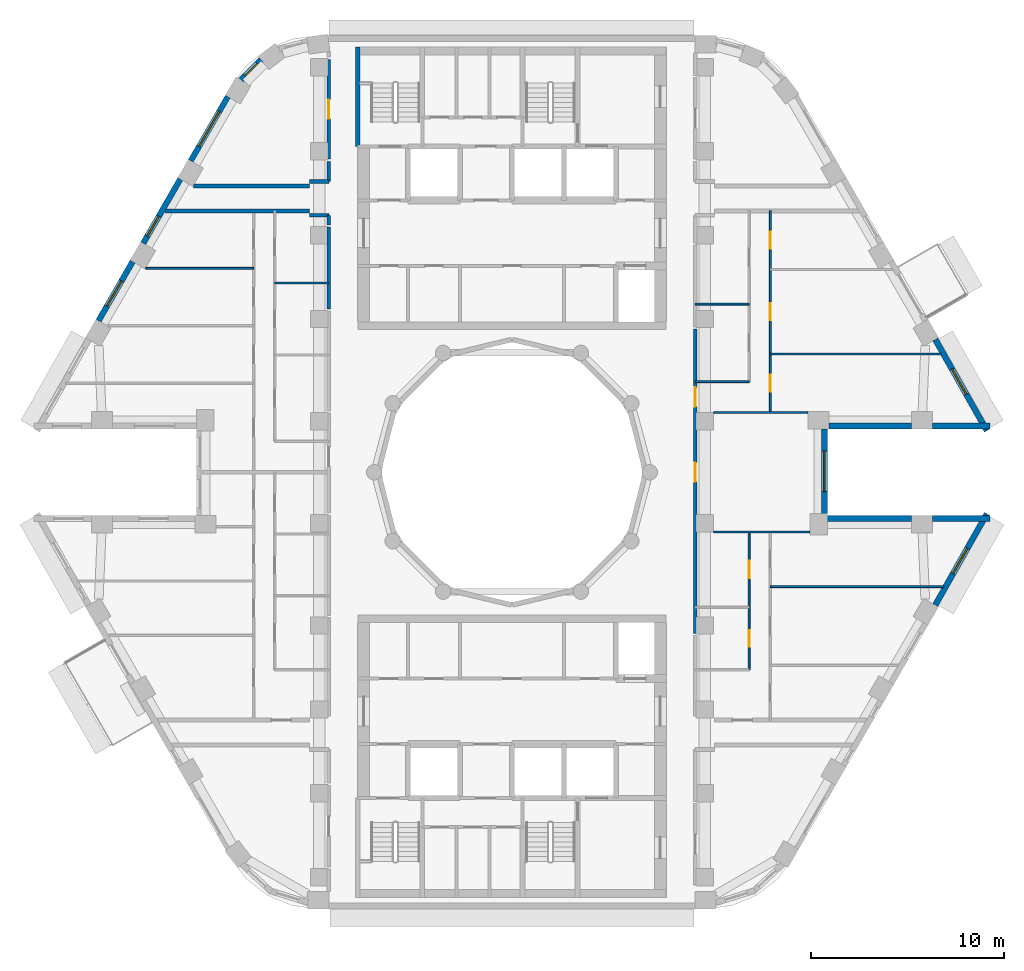
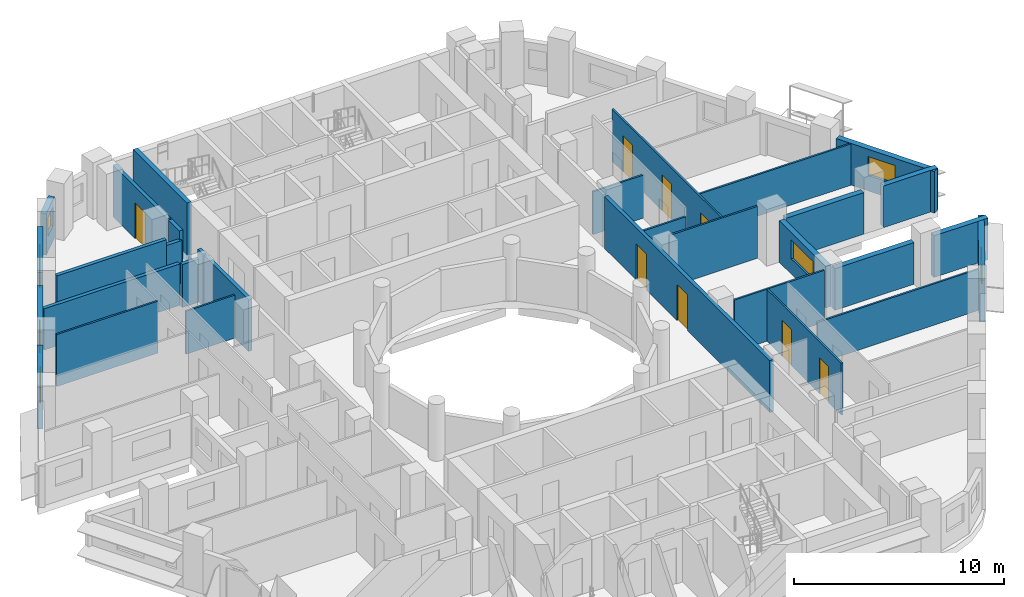
# One storey, part 6 of 16: 31 walls, 8 doors, 7 windows, 15 openings.
"""IFC4 building model written with IfcOpenShell, lengths in metres."""

from ifc_helpers import new_model, si_unit, direction, frame, frame_2d, origin, place, context, subcontext, project, spatial, rectangle, extrude, material, layer, layer_set, type_object, element, fill, save


model = new_model("IFC4")

# Units and contexts
model_context = context("Model", 3, precision=1e-05, world=origin(), true_north=direction((0.0, 1.0)))
body_context = subcontext(model_context, "Body", "Model", "MODEL_VIEW")
ifc_project = project(units=[si_unit("LENGTHUNIT", "METRE"), si_unit("AREAUNIT", "SQUARE_METRE"), si_unit("VOLUMEUNIT", "CUBIC_METRE"), si_unit("PLANEANGLEUNIT", "RADIAN"), si_unit("MASSUNIT", "GRAM", prefix="KILO")], contexts=[model_context])

# Site, building, storey
site_placement = place(None, origin())
site = spatial("IfcSite", under=ifc_project, at=site_placement, CompositionType="ELEMENT")
building_placement = place(site_placement, origin())
building = spatial("IfcBuilding", under=site, at=building_placement, Name="Nakaniwa Court", CompositionType="ELEMENT")
storey_placement = place(building_placement, frame((0.0, 0.0, 226.199951171875)))
storey = spatial("IfcBuildingStorey", under=building, at=storey_placement, Name="L58", CompositionType="ELEMENT", Elevation=226.199951171875)

# Wall, openings, doors
ifc_material_1 = material(Name="Acoustic double stud partition")
ifc_layer_1 = layer(ifc_material_1, 0.199951171875)
ifc_layer_set_1 = layer_set([ifc_layer_1], Name="Acoustic double stud partition")
wall_type_1 = type_object("IfcWallType", Name="Acoustic double stud partition 200", PredefinedType="PARTITIONING", material=ifc_layer_set_1)
wall_1_placement = place(storey_placement, frame((89.5, 87.423095703125, 0.0), z_axis=(0.0, 0.0, 1.0), x_axis=(0.0, -1.0, 0.0)))
wall_1 = element("IfcWall", 1, at=wall_1_placement, inside=storey, type_object=wall_type_1, Name="Partition PW-066", PredefinedType="PARTITIONING", context=body_context, shape_type="SweptSolid", body=[
    extrude(rectangle(XDim=15.7861328125, YDim=0.199951171875, at=frame_2d((7.89306640625, 0.0))), origin(), (0.0, 0.0, 1.0), 3.025146484375),
])
opening_1_placement = place(wall_1_placement, frame((6.923095703125, 0.0, 0.0)))
opening_1 = element("IfcOpeningElement", 2, at=opening_1_placement, cuts=wall_1, Name="Opening D-02-02", PredefinedType="OPENING", context=body_context, shape_type="SweptSolid", body=[
    extrude(rectangle(XDim=1.0, YDim=2.10009765625, at=frame_2d((0.5, 1.050048828125))), frame((0.0, 0.10986328125, 0.0), z_axis=(0.0, -1.0, 0.0), x_axis=(1.0, 0.0, 0.0)), (0.0, 0.0, 1.0), 0.219970703125),
])
opening_2_placement = place(wall_1_placement, frame((3.02294921875, 0.0, 0.0)))
opening_2 = element("IfcOpeningElement", 3, at=opening_2_placement, cuts=wall_1, Name="Opening D-01-02", PredefinedType="OPENING", context=body_context, shape_type="SweptSolid", body=[
    extrude(rectangle(XDim=1.0, YDim=2.10009765625, at=frame_2d((0.5, 1.050048828125))), frame((0.0, 0.10986328125, 0.0), z_axis=(0.0, -1.0, 0.0), x_axis=(1.0, 0.0, 0.0)), (0.0, 0.0, 1.0), 0.219970703125),
])
ifc_material_2 = material(Name="Solid core timber door set, black veneer", Category="wood")
door_type_1 = type_object("IfcDoorType", Name="Flat entrance door 1000", OperationType="NOTDEFINED", PredefinedType="DOOR", material=ifc_material_2)
door_1_placement = place(opening_2_placement, origin())
door_1 = element("IfcDoor", 4, at=door_1_placement, inside=storey, type_object=door_type_1, Name="Door D-01-02 L58-035", OperationType="SINGLE_SWING_RIGHT", OverallHeight=2.10009765625, OverallWidth=1.0, PredefinedType="DOOR", context=body_context, shape_type="SweptSolid", body=[
    extrude(rectangle(XDim=1.0, YDim=2.10009765625, at=frame_2d((0.5, 1.050048828125))), frame((0.0, 0.02490234375, 0.0), z_axis=(0.0, -1.0, 0.0), x_axis=(1.0, 0.0, 0.0)), (0.0, 0.0, 1.0), 0.050048828125),
])
fill(opening_2, door_1)
door_type_2 = type_object("IfcDoorType", Name="Internal door 1000", OperationType="NOTDEFINED", PredefinedType="DOOR", material=ifc_material_2)
door_2_placement = place(opening_1_placement, origin())
door_2 = element("IfcDoor", 5, at=door_2_placement, inside=storey, type_object=door_type_2, Name="Door D-02-02 L58-034", OperationType="SINGLE_SWING_LEFT", OverallHeight=2.10009765625, OverallWidth=1.0, PredefinedType="DOOR", context=body_context, shape_type="SweptSolid", body=[
    extrude(rectangle(XDim=1.0, YDim=2.10009765625, at=frame_2d((0.5, 1.050048828125))), frame((0.0, 0.02490234375, 0.0), z_axis=(0.0, -1.0, 0.0), x_axis=(1.0, 0.0, 0.0)), (0.0, 0.0, 1.0), 0.050048828125),
])
fill(opening_1, door_2)

# Walls
wall_2_placement = place(storey_placement, frame((62.015380859375, 93.550048828125, 0.0), z_axis=(0.0, 0.0, 1.0), x_axis=(1.0, 0.0, 0.0)))
element("IfcWall", 6, at=wall_2_placement, inside=storey, type_object=wall_type_1, Name="Partition PW-072", PredefinedType="PARTITIONING", context=body_context, shape_type="SweptSolid", body=[
    extrude(rectangle(XDim=7.484619140625, YDim=0.199951171875, at=frame_2d((3.7421875, 0.0))), origin(), (0.0, 0.0, 1.0), 2.405029296875),
])
for number, where, z_axis, x_axis, name in (
    (7, (69.5, 93.324951171875, 0.0), (0.0, 0.0, 1.0), (1.0, 0.0, 0.0), "Partition PW-074"),
    (8, (69.5, 95.074951171875, 0.0), (0.0, 0.0, 1.0), (1.0, 0.0, 0.0), "Partition PW-076"),
):
    element("IfcWall", number, at=place(storey_placement, frame(where, z_axis=z_axis, x_axis=x_axis)), inside=storey, type_object=wall_type_1, Name=name, PredefinedType="PARTITIONING", context=body_context, shape_type="SweptSolid", body=[
        extrude(rectangle(XDim=1.0, YDim=0.199951171875, at=frame_2d((0.5, 0.0))), origin(), (0.0, 0.0, 1.0), 2.505126953125),
    ])
wall_3_placement = place(storey_placement, frame((63.47900390625, 94.85009765625, 0.0), z_axis=(0.0, 0.0, 1.0), x_axis=(1.0, 0.0, 0.0)))
element("IfcWall", 9, at=wall_3_placement, inside=storey, type_object=wall_type_1, Name="Partition PW-078", PredefinedType="PARTITIONING", context=body_context, shape_type="SweptSolid", body=[
    extrude(rectangle(XDim=6.02099609375, YDim=0.199951171875, at=frame_2d((3.010498046875, 0.0))), origin(), (0.0, 0.0, 1.0), 3.025146484375),
])
wall_4_placement = place(storey_placement, frame((70.5, 88.47705078125, 0.0), z_axis=(0.0, 0.0, 1.0), x_axis=(0.0, 1.0, 0.0)))
element("IfcWall", 10, at=wall_4_placement, inside=storey, type_object=wall_type_1, Name="Partition PW-093", PredefinedType="PARTITIONING", context=body_context, shape_type="SweptSolid", body=[
    extrude(rectangle(XDim=4.23583984375, YDim=0.199951171875, at=frame_2d((2.117919921875, 0.0))), origin(), (0.0, 0.0, 1.0), 3.025146484375),
])
wall_5_placement = place(storey_placement, frame((70.5, 92.826904296875, 0.0), z_axis=(0.0, 0.0, 1.0), x_axis=(0.0, 1.0, 0.0)))
element("IfcWall", 11, at=wall_5_placement, inside=storey, type_object=wall_type_1, Name="Partition PW-094", PredefinedType="PARTITIONING", context=body_context, shape_type="SweptSolid", body=[
    extrude(rectangle(XDim=0.5009765625, YDim=0.199951171875, at=frame_2d((0.25048828125, 0.0))), origin(), (0.0, 0.0, 1.0), 3.025146484375),
])
wall_6_placement = place(storey_placement, frame((70.5, 95.072021484375, 0.0), z_axis=(0.0, 0.0, 1.0), x_axis=(0.0, 1.0, 0.0)))
element("IfcWall", 12, at=wall_6_placement, inside=storey, type_object=wall_type_1, Name="Partition PW-095", PredefinedType="PARTITIONING", context=body_context, shape_type="SweptSolid", body=[
    extrude(rectangle(XDim=1.051025390625, YDim=0.199951171875, at=frame_2d((0.525390625, 0.0))), origin(), (0.0, 0.0, 1.0), 3.025146484375),
])

# Wall, opening, door
wall_7_placement = place(storey_placement, frame((70.5, 96.237060546875, 0.0), z_axis=(0.0, 0.0, 1.0), x_axis=(0.0, 1.0, 0.0)))
wall_7 = element("IfcWall", 13, at=wall_7_placement, inside=storey, type_object=wall_type_1, Name="Partition PW-096", PredefinedType="PARTITIONING", context=body_context, shape_type="SweptSolid", body=[
    extrude(rectangle(XDim=5.176025390625, YDim=0.199951171875, at=frame_2d((2.587890625, 0.0))), origin(), (0.0, 0.0, 1.0), 3.025146484375),
])
opening_3_placement = place(wall_7_placement, frame((2.087890625, 0.0, 0.0)))
opening_3 = element("IfcOpeningElement", 14, at=opening_3_placement, cuts=wall_7, Name="Opening D-02-05", PredefinedType="OPENING", context=body_context, shape_type="SweptSolid", body=[
    extrude(rectangle(XDim=1.0, YDim=2.10009765625, at=frame_2d((0.5, 1.050048828125))), frame((0.0, 0.10986328125, 0.0), z_axis=(0.0, -1.0, 0.0), x_axis=(1.0, 0.0, 0.0)), (0.0, 0.0, 1.0), 0.219970703125),
])
door_3_placement = place(opening_3_placement, origin())
door_3 = element("IfcDoor", 15, at=door_3_placement, inside=storey, type_object=door_type_2, Name="Door D-02-05 L58-059", OperationType="SINGLE_SWING_RIGHT", OverallHeight=2.10009765625, OverallWidth=1.0, PredefinedType="DOOR", context=body_context, shape_type="SweptSolid", body=[
    extrude(rectangle(XDim=1.0, YDim=2.10009765625, at=frame_2d((0.5, 1.050048828125))), frame((0.0, 0.02490234375, 0.0), z_axis=(0.0, -1.0, 0.0), x_axis=(1.0, 0.0, 0.0)), (0.0, 0.0, 1.0), 0.050048828125),
])
fill(opening_3, door_3)

# Walls
ifc_material_3 = material(Name="Charcoal ceramic cladding")
ifc_layer_2 = layer(ifc_material_3, 0.02, Name="Ceramic cladding")
ifc_material_4 = material(Name="Ventilated air cavity")
ifc_layer_3 = layer(ifc_material_4, 0.04, ventilated=True, Name="Ventilated cavity")
ifc_material_5 = material(Name="Mineral wool insulation")
ifc_layer_4 = layer(ifc_material_5, 0.1, Name="Insulation")
ifc_material_6 = material(Name="Cement bonded sheathing board")
ifc_layer_5 = layer(ifc_material_6, 0.012, Name="Sheathing")
ifc_material_7 = material(Name="Cold-formed galvanised stud frame with mineral wool infill")
ifc_layer_6 = layer(ifc_material_7, 0.1, Name="Stud frame")
ifc_material_8 = material(Name="Fire-rated gypsum plasterboard lining")
ifc_layer_7 = layer(ifc_material_8, 0.028, Name="Lining")
ifc_layer_set_2 = layer_set([ifc_layer_2, ifc_layer_3, ifc_layer_4, ifc_layer_5, ifc_layer_6, ifc_layer_7], Name="Charcoal ceramic faced external wall system")
wall_type_2 = type_object("IfcWallType", Name="Black ceramic faced external wall 300", PredefinedType="SOLIDWALL", material=ifc_layer_set_2)
wall_8_placement = place(storey_placement, frame((96.445556640625, 82.39990234375, 0.0), z_axis=(0.0, 0.0, 1.0), x_axis=(1.0, 0.0, 0.0)))
element("IfcWall", 16, at=wall_8_placement, inside=storey, type_object=wall_type_2, Name="L58 external wall 00", PredefinedType="SOLIDWALL", context=body_context, shape_type="SweptSolid", body=[
    extrude(rectangle(XDim=4.2724609375, YDim=0.300048828125, at=frame_2d((2.13623046875, 0.0))), origin(), (0.0, 0.0, 1.0), 2.425048828125),
])
wall_9_placement = place(storey_placement, frame((101.81005859375, 82.39990234375, 0.0), z_axis=(0.0, 0.0, 1.0), x_axis=(1.0, 0.0, 0.0)))
element("IfcWall", 17, at=wall_9_placement, inside=storey, type_object=wall_type_2, Name="L58 external wall 01", PredefinedType="SOLIDWALL", context=body_context, shape_type="SweptSolid", body=[
    extrude(rectangle(XDim=2.98779296875, YDim=0.300048828125, at=frame_2d((1.493896484375, 0.0))), origin(), (0.0, 0.0, 1.0), 2.425048828125),
])

# Wall, opening, window
wall_10_placement = place(storey_placement, frame((104.627197265625, 82.153564453125, 0.0), z_axis=(0.0, 0.0, 1.0), x_axis=(-0.492080931903, 0.870549456641, 0.0)))
wall_10 = element("IfcWall", 18, at=wall_10_placement, inside=storey, type_object=wall_type_2, Name="L58 external wall 02", PredefinedType="SOLIDWALL", context=body_context, shape_type="SweptSolid", body=[
    extrude(rectangle(XDim=5.436767578125, YDim=0.300048828125, at=frame_2d((2.71826171875, 0.0))), origin(), (0.0, 0.0, 1.0), 2.425048828125),
])
opening_4_placement = place(wall_10_placement, frame((2.17578125, 0.0, 0.89990234375)))
opening_4 = element("IfcOpeningElement", 19, at=opening_4_placement, cuts=wall_10, Name="Opening W5.01", PredefinedType="OPENING", context=body_context, shape_type="SweptSolid", body=[
    extrude(rectangle(XDim=1.5, YDim=1.10009765625, at=frame_2d((0.75, 0.550048828125))), frame((0.0, 0.159912109375, 0.0), z_axis=(0.0, -1.0, 0.0), x_axis=(1.0, 0.0, 0.0)), (0.0, 0.0, 1.0), 0.320068359375),
])
ifc_material_9 = material(Name="Black anodised aluminium frame with dark low-E laminated double glazing", Category="aluminium")
window_type_1 = type_object("IfcWindowType", Name="Dark glass window 1500x1100 sill 900", PartitioningType="SINGLE_PANEL", PredefinedType="WINDOW", material=ifc_material_9)
window_1_placement = place(opening_4_placement, origin())
window_1 = element("IfcWindow", 20, at=window_1_placement, inside=storey, type_object=window_type_1, Name="L58 bedroom window 02-0", OverallHeight=1.10009765625, OverallWidth=1.5, PartitioningType="SINGLE_PANEL", PredefinedType="WINDOW", context=body_context, shape_type="SweptSolid", body=[
    extrude(rectangle(XDim=1.5, YDim=1.10009765625, at=frame_2d((0.75, 0.550048828125))), frame((0.0, 0.030029296875, 0.0), z_axis=(0.0, -1.0, 0.0), x_axis=(1.0, 0.0, 0.0)), (0.0, 0.0, 1.0), 0.06005859375),
])
fill(opening_4, window_1)

wall_11_placement = place(storey_placement, frame((66.99560546875, 101.388427734375, 0.0), z_axis=(0.0, 0.0, 1.0), x_axis=(-0.708589353117, -0.705621094249, 0.0)))
wall_11 = element("IfcWall", 21, at=wall_11_placement, inside=storey, type_object=wall_type_2, Name="L58 external wall 10", PredefinedType="SOLIDWALL", context=body_context, shape_type="SweptSolid", body=[
    extrude(rectangle(XDim=1.48046875, YDim=0.300048828125, at=frame_2d((0.740234375, 0.0))), origin(), (0.0, 0.0, 1.0), 2.425048828125),
])
opening_5_placement = place(wall_11_placement, frame((0.27978515625, 0.0, 0.89990234375)))
opening_5 = element("IfcOpeningElement", 22, at=opening_5_placement, cuts=wall_11, Name="Opening W9.07", PredefinedType="OPENING", context=body_context, shape_type="SweptSolid", body=[
    extrude(rectangle(XDim=0.89990234375, YDim=1.10009765625, at=frame_2d((0.449951171875, 0.550048828125))), frame((0.0, 0.159912109375, 0.0), z_axis=(0.0, -1.0, 0.0), x_axis=(1.0, 0.0, 0.0)), (0.0, 0.0, 1.0), 0.320068359375),
])
window_type_2 = type_object("IfcWindowType", Name="Dark glass window 900x1100 sill 900", PartitioningType="SINGLE_PANEL", PredefinedType="WINDOW", material=ifc_material_9)
window_2_placement = place(opening_5_placement, origin())
window_2 = element("IfcWindow", 23, at=window_2_placement, inside=storey, type_object=window_type_2, Name="L58 habitable room window 10-0", OverallHeight=1.10009765625, OverallWidth=0.89990234375, PartitioningType="SINGLE_PANEL", PredefinedType="WINDOW", context=body_context, shape_type="SweptSolid", body=[
    extrude(rectangle(XDim=0.89990234375, YDim=1.10009765625, at=frame_2d((0.449951171875, 0.550048828125))), frame((0.0, 0.030029296875, 0.0), z_axis=(0.0, -1.0, 0.0), x_axis=(1.0, 0.0, 0.0)), (0.0, 0.0, 1.0), 0.06005859375),
])
fill(opening_5, window_2)

wall_12_placement = place(storey_placement, frame((65.26416015625, 99.476806640625, 0.0), z_axis=(0.0, 0.0, 1.0), x_axis=(-0.499984490703, -0.866034357896, 0.0)))
wall_12 = element("IfcWall", 24, at=wall_12_placement, inside=storey, type_object=wall_type_2, Name="L58 external wall 11", PredefinedType="SOLIDWALL", context=body_context, shape_type="SweptSolid", body=[
    extrude(rectangle(XDim=3.84423828125, YDim=0.300048828125, at=frame_2d((1.922119140625, 0.0))), origin(), (0.0, 0.0, 1.0), 2.425048828125),
])
opening_6_placement = place(wall_12_placement, frame((0.8720703125, 0.0, 0.89990234375)))
opening_6 = element("IfcOpeningElement", 25, at=opening_6_placement, cuts=wall_12, Name="Opening W7.08", PredefinedType="OPENING", context=body_context, shape_type="SweptSolid", body=[
    extrude(rectangle(XDim=2.10009765625, YDim=1.10009765625, at=frame_2d((1.050048828125, 0.550048828125))), frame((0.0, 0.159912109375, 0.0), z_axis=(0.0, -1.0, 0.0), x_axis=(1.0, 0.0, 0.0)), (0.0, 0.0, 1.0), 0.320068359375),
])
window_type_3 = type_object("IfcWindowType", Name="Dark glass window 2100x1100 sill 900", PartitioningType="SINGLE_PANEL", PredefinedType="WINDOW", material=ifc_material_9)
window_3_placement = place(opening_6_placement, origin())
window_3 = element("IfcWindow", 26, at=window_3_placement, inside=storey, type_object=window_type_3, Name="L58 habitable room window 11-0", OverallHeight=1.10009765625, OverallWidth=2.10009765625, PartitioningType="SINGLE_PANEL", PredefinedType="WINDOW", context=body_context, shape_type="SweptSolid", body=[
    extrude(rectangle(XDim=2.10009765625, YDim=1.10009765625, at=frame_2d((1.050048828125, 0.550048828125))), frame((0.0, 0.030029296875, 0.0), z_axis=(0.0, -1.0, 0.0), x_axis=(1.0, 0.0, 0.0)), (0.0, 0.0, 1.0), 0.06005859375),
])
fill(opening_6, window_3)

wall_13_placement = place(storey_placement, frame((62.7958984375, 95.201904296875, 0.0), z_axis=(0.0, 0.0, 1.0), x_axis=(-0.499984490703, -0.866034357896, 0.0)))
wall_13 = element("IfcWall", 27, at=wall_13_placement, inside=storey, type_object=wall_type_2, Name="L58 external wall 12", PredefinedType="SOLIDWALL", context=body_context, shape_type="SweptSolid", body=[
    extrude(rectangle(XDim=3.84423828125, YDim=0.300048828125, at=frame_2d((1.922119140625, 0.0))), origin(), (0.0, 0.0, 1.0), 2.425048828125),
])
opening_7_placement = place(wall_13_placement, frame((2.214599609375, 0.0, 0.89990234375)))
opening_7 = element("IfcOpeningElement", 28, at=opening_7_placement, cuts=wall_13, Name="Opening W6.09", PredefinedType="OPENING", context=body_context, shape_type="SweptSolid", body=[
    extrude(rectangle(XDim=1.199951171875, YDim=1.10009765625, at=frame_2d((0.60009765625, 0.550048828125))), frame((0.0, 0.159912109375, 0.0), z_axis=(0.0, -1.0, 0.0), x_axis=(1.0, 0.0, 0.0)), (0.0, 0.0, 1.0), 0.320068359375),
])
window_type_4 = type_object("IfcWindowType", Name="Dark glass window 1200x1100 sill 900", PartitioningType="SINGLE_PANEL", PredefinedType="WINDOW", material=ifc_material_9)
window_4_placement = place(opening_7_placement, origin())
window_4 = element("IfcWindow", 29, at=window_4_placement, inside=storey, type_object=window_type_4, Name="L58 bedroom window 12-1", OverallHeight=1.10009765625, OverallWidth=1.199951171875, PartitioningType="SINGLE_PANEL", PredefinedType="WINDOW", context=body_context, shape_type="SweptSolid", body=[
    extrude(rectangle(XDim=1.199951171875, YDim=1.10009765625, at=frame_2d((0.60009765625, 0.550048828125))), frame((0.0, 0.030029296875, 0.0), z_axis=(0.0, -1.0, 0.0), x_axis=(1.0, 0.0, 0.0)), (0.0, 0.0, 1.0), 0.06005859375),
])
fill(opening_7, window_4)

wall_14_placement = place(storey_placement, frame((60.327880859375, 90.927001953125, 0.0), z_axis=(0.0, 0.0, 1.0), x_axis=(-0.500010404316, -0.866019396766, 0.0)))
wall_14 = element("IfcWall", 30, at=wall_14_placement, inside=storey, type_object=wall_type_2, Name="L58 external wall 13", PredefinedType="SOLIDWALL", context=body_context, shape_type="SweptSolid", body=[
    extrude(rectangle(XDim=3.54736328125, YDim=0.300048828125, at=frame_2d((1.773681640625, 0.0))), origin(), (0.0, 0.0, 1.0), 2.425048828125),
])
opening_8_placement = place(wall_14_placement, frame((1.165283203125, 0.0, 0.89990234375)))
opening_8 = element("IfcOpeningElement", 31, at=opening_8_placement, cuts=wall_14, Name="Opening W5.10", PredefinedType="OPENING", context=body_context, shape_type="SweptSolid", body=[
    extrude(rectangle(XDim=1.5, YDim=1.10009765625, at=frame_2d((0.75, 0.550048828125))), frame((0.0, 0.159912109375, 0.0), z_axis=(0.0, -1.0, 0.0), x_axis=(1.0, 0.0, 0.0)), (0.0, 0.0, 1.0), 0.320068359375),
])
window_5_placement = place(opening_8_placement, origin())
window_5 = element("IfcWindow", 32, at=window_5_placement, inside=storey, type_object=window_type_1, Name="L58 bedroom window 13-0", OverallHeight=1.10009765625, OverallWidth=1.5, PartitioningType="SINGLE_PANEL", PredefinedType="WINDOW", context=body_context, shape_type="SweptSolid", body=[
    extrude(rectangle(XDim=1.5, YDim=1.10009765625, at=frame_2d((0.75, 0.550048828125))), frame((0.0, 0.030029296875, 0.0), z_axis=(0.0, -1.0, 0.0), x_axis=(1.0, 0.0, 0.0)), (0.0, 0.0, 1.0), 0.06005859375),
])
fill(opening_8, window_5)

wall_15_placement = place(storey_placement, frame((101.951904296875, 73.113525390625, 0.0), z_axis=(0.0, 0.0, 1.0), x_axis=(0.492080931903, 0.870549456641, 0.0)))
wall_15 = element("IfcWall", 33, at=wall_15_placement, inside=storey, type_object=wall_type_2, Name="L58 external wall 32", PredefinedType="SOLIDWALL", context=body_context, shape_type="SweptSolid", body=[
    extrude(rectangle(XDim=5.436767578125, YDim=0.300048828125, at=frame_2d((2.71826171875, 0.0))), origin(), (0.0, 0.0, 1.0), 2.425048828125),
])
opening_9_placement = place(wall_15_placement, frame((1.877685546875, 0.0, 0.89990234375)))
opening_9 = element("IfcOpeningElement", 34, at=opening_9_placement, cuts=wall_15, Name="Opening W5.31", PredefinedType="OPENING", context=body_context, shape_type="SweptSolid", body=[
    extrude(rectangle(XDim=1.5, YDim=1.10009765625, at=frame_2d((0.75, 0.550048828125))), frame((0.0, 0.159912109375, 0.0), z_axis=(0.0, -1.0, 0.0), x_axis=(1.0, 0.0, 0.0)), (0.0, 0.0, 1.0), 0.320068359375),
])
window_6_placement = place(opening_9_placement, origin())
window_6 = element("IfcWindow", 35, at=window_6_placement, inside=storey, type_object=window_type_1, Name="L58 bedroom window 32-1", OverallHeight=1.10009765625, OverallWidth=1.5, PartitioningType="SINGLE_PANEL", PredefinedType="WINDOW", context=body_context, shape_type="SweptSolid", body=[
    extrude(rectangle(XDim=1.5, YDim=1.10009765625, at=frame_2d((0.75, 0.550048828125))), frame((0.0, 0.030029296875, 0.0), z_axis=(0.0, -1.0, 0.0), x_axis=(1.0, 0.0, 0.0)), (0.0, 0.0, 1.0), 0.06005859375),
])
fill(opening_9, window_6)

# Walls
wall_16_placement = place(storey_placement, frame((104.7978515625, 77.60009765625, 0.0), z_axis=(0.0, 0.0, 1.0), x_axis=(-1.0, 0.0, 0.0)))
element("IfcWall", 36, at=wall_16_placement, inside=storey, type_object=wall_type_2, Name="L58 external wall 33", PredefinedType="SOLIDWALL", context=body_context, shape_type="SweptSolid", body=[
    extrude(rectangle(XDim=2.98779296875, YDim=0.300048828125, at=frame_2d((1.493896484375, 0.0))), origin(), (0.0, 0.0, 1.0), 2.425048828125),
])
wall_17_placement = place(storey_placement, frame((100.718017578125, 77.60009765625, 0.0), z_axis=(0.0, 0.0, 1.0), x_axis=(-1.0, 0.0, 0.0)))
element("IfcWall", 37, at=wall_17_placement, inside=storey, type_object=wall_type_2, Name="L58 external wall 34", PredefinedType="SOLIDWALL", context=body_context, shape_type="SweptSolid", body=[
    extrude(rectangle(XDim=4.37255859375, YDim=0.300048828125, at=frame_2d((2.186279296875, 0.0))), origin(), (0.0, 0.0, 1.0), 2.425048828125),
])

# Wall, opening, window
wall_18_placement = place(storey_placement, frame((96.199462890625, 77.845947265625, 0.0), z_axis=(0.0, 0.0, 1.0), x_axis=(0.0, 1.0, 0.0)))
wall_18 = element("IfcWall", 38, at=wall_18_placement, inside=storey, type_object=wall_type_2, Name="L58 external wall 35", PredefinedType="SOLIDWALL", context=body_context, shape_type="SweptSolid", body=[
    extrude(rectangle(XDim=4.407958984375, YDim=0.300048828125, at=frame_2d((2.2041015625, 0.0))), origin(), (0.0, 0.0, 1.0), 2.425048828125),
])
opening_10_placement = place(wall_18_placement, frame((1.154052734375, 0.0, 0.89990234375)))
opening_10 = element("IfcOpeningElement", 39, at=opening_10_placement, cuts=wall_18, Name="Opening W7.32", PredefinedType="OPENING", context=body_context, shape_type="SweptSolid", body=[
    extrude(rectangle(XDim=2.10009765625, YDim=1.10009765625, at=frame_2d((1.050048828125, 0.550048828125))), frame((0.0, 0.159912109375, 0.0), z_axis=(0.0, -1.0, 0.0), x_axis=(1.0, 0.0, 0.0)), (0.0, 0.0, 1.0), 0.320068359375),
])
window_7_placement = place(opening_10_placement, origin())
window_7 = element("IfcWindow", 40, at=window_7_placement, inside=storey, type_object=window_type_3, Name="L58 habitable room window 35-0", OverallHeight=1.10009765625, OverallWidth=2.10009765625, PartitioningType="SINGLE_PANEL", PredefinedType="WINDOW", context=body_context, shape_type="SweptSolid", body=[
    extrude(rectangle(XDim=2.10009765625, YDim=1.10009765625, at=frame_2d((1.050048828125, 0.550048828125))), frame((0.0, 0.030029296875, 0.0), z_axis=(0.0, -1.0, 0.0), x_axis=(1.0, 0.0, 0.0)), (0.0, 0.0, 1.0), 0.06005859375),
])
fill(opening_10, window_7)

# Wall
ifc_material_10 = material(Name="Concrete C80/100", Category="concrete")
ifc_layer_8 = layer(ifc_material_10, 0.25)
ifc_layer_set_3 = layer_set([ifc_layer_8], Name="Concrete C80/100")
wall_type_3 = type_object("IfcWallType", Name="Concrete core wall 250 C80", PredefinedType="SHEAR", material=ifc_layer_set_3)
wall_19_placement = place(storey_placement, frame((72.0, 96.89990234375, -0.409912109375), z_axis=(0.0, 0.0, 1.0), x_axis=(0.0, 1.0, 0.0)))
element("IfcWall", 41, at=wall_19_placement, inside=storey, type_object=wall_type_3, Name="Core wall SW-25", PredefinedType="SHEAR", context=body_context, shape_type="SweptSolid", body=[
    extrude(rectangle(XDim=5.150146484375, YDim=0.25, at=frame_2d((2.5751953125, 0.0))), origin(), (0.0, 0.0, 1.0), 3.43505859375),
])

# Wall, openings, doors
ifc_material_11 = material(Name="Single stud plasterboard partition")
ifc_layer_9 = layer(ifc_material_11, 0.10009765625)
ifc_layer_set_4 = layer_set([ifc_layer_9], Name="Single stud plasterboard partition")
wall_type_4 = type_object("IfcWallType", Name="Single stud plasterboard partition 100", PredefinedType="PARTITIONING", material=ifc_layer_set_4)
wall_20_placement = place(storey_placement, frame((92.300048828125, 69.75, 0.0), z_axis=(0.0, 0.0, 1.0), x_axis=(0.0, 1.0, 0.0)))
wall_20 = element("IfcWall", 42, at=wall_20_placement, inside=storey, type_object=wall_type_4, Name="Partition PW-099", PredefinedType="PARTITIONING", context=body_context, shape_type="SweptSolid", body=[
    extrude(rectangle(XDim=7.14990234375, YDim=0.10009765625, at=frame_2d((3.574951171875, 0.0))), origin(), (0.0, 0.0, 1.0), 3.025146484375),
])
opening_11_placement = place(wall_20_placement, frame((1.199951171875, 0.0, 0.0)))
opening_11 = element("IfcOpeningElement", 43, at=opening_11_placement, cuts=wall_20, Name="Opening D-03-01", PredefinedType="OPENING", context=body_context, shape_type="SweptSolid", body=[
    extrude(rectangle(XDim=0.85009765625, YDim=2.10009765625, at=frame_2d((0.425048828125, 1.050048828125))), frame((0.0, 0.06005859375, 0.0), z_axis=(0.0, -1.0, 0.0), x_axis=(1.0, 0.0, 0.0)), (0.0, 0.0, 1.0), 0.1201171875),
])
opening_12_placement = place(wall_20_placement, frame((4.75, 0.0, 0.0)))
opening_12 = element("IfcOpeningElement", 44, at=opening_12_placement, cuts=wall_20, Name="Opening D-33-01", PredefinedType="OPENING", context=body_context, shape_type="SweptSolid", body=[
    extrude(rectangle(XDim=0.89990234375, YDim=2.10009765625, at=frame_2d((0.449951171875, 1.050048828125))), frame((0.0, 0.06005859375, 0.0), z_axis=(0.0, -1.0, 0.0), x_axis=(1.0, 0.0, 0.0)), (0.0, 0.0, 1.0), 0.1201171875),
])
ifc_material_12 = material(Name="Moisture sealed timber door set", Category="wood")
door_type_3 = type_object("IfcDoorType", Name="Bathroom door 850", OperationType="NOTDEFINED", PredefinedType="DOOR", material=ifc_material_12)
door_4_placement = place(opening_11_placement, origin())
door_4 = element("IfcDoor", 45, at=door_4_placement, inside=storey, type_object=door_type_3, Name="Door D-03-01 L58-029", OperationType="SINGLE_SWING_RIGHT", OverallHeight=2.10009765625, OverallWidth=0.85009765625, PredefinedType="DOOR", context=body_context, shape_type="SweptSolid", body=[
    extrude(rectangle(XDim=0.85009765625, YDim=2.10009765625, at=frame_2d((0.425048828125, 1.050048828125))), frame((0.0, 0.02490234375, 0.0), z_axis=(0.0, -1.0, 0.0), x_axis=(1.0, 0.0, 0.0)), (0.0, 0.0, 1.0), 0.050048828125),
])
fill(opening_11, door_4)
door_type_4 = type_object("IfcDoorType", Name="Internal door 900", OperationType="NOTDEFINED", PredefinedType="DOOR", material=ifc_material_2)
door_5_placement = place(opening_12_placement, origin())
door_5 = element("IfcDoor", 46, at=door_5_placement, inside=storey, type_object=door_type_4, Name="Door D-33-01 L58-030", OperationType="SINGLE_SWING_LEFT", OverallHeight=2.10009765625, OverallWidth=0.89990234375, PredefinedType="DOOR", context=body_context, shape_type="SweptSolid", body=[
    extrude(rectangle(XDim=0.89990234375, YDim=2.10009765625, at=frame_2d((0.449951171875, 1.050048828125))), frame((0.0, 0.02490234375, 0.0), z_axis=(0.0, -1.0, 0.0), x_axis=(1.0, 0.0, 0.0)), (0.0, 0.0, 1.0), 0.050048828125),
])
fill(opening_12, door_5)

# Wall
wall_21_placement = place(storey_placement, frame((90.469970703125, 76.89990234375, 0.0), z_axis=(0.0, 0.0, 1.0), x_axis=(1.0, 0.0, 0.0)))
element("IfcWall", 47, at=wall_21_placement, inside=storey, type_object=wall_type_4, Name="Partition PW-103", PredefinedType="PARTITIONING", context=body_context, shape_type="SweptSolid", body=[
    extrude(rectangle(XDim=4.95947265625, YDim=0.10009765625, at=frame_2d((2.479736328125, 0.0))), origin(), (0.0, 0.0, 1.0), 3.025146484375),
])

# Wall, openings, doors
wall_22_placement = place(storey_placement, frame((93.39990234375, 93.550048828125, 0.0), z_axis=(0.0, 0.0, 1.0), x_axis=(0.0, -1.0, 0.0)))
wall_22 = element("IfcWall", 48, at=wall_22_placement, inside=storey, type_object=wall_type_4, Name="Partition PW-105", PredefinedType="PARTITIONING", context=body_context, shape_type="SweptSolid", body=[
    extrude(rectangle(XDim=10.449951171875, YDim=0.10009765625, at=frame_2d((5.22509765625, 0.0))), origin(), (0.0, 0.0, 1.0), 3.025146484375),
])
opening_13_placement = place(wall_22_placement, frame((8.48291015625, 0.0, 0.0)))
opening_13 = element("IfcOpeningElement", 49, at=opening_13_placement, cuts=wall_22, Name="Opening D-33-06", PredefinedType="OPENING", context=body_context, shape_type="SweptSolid", body=[
    extrude(rectangle(XDim=0.89990234375, YDim=2.10009765625, at=frame_2d((0.449951171875, 1.050048828125))), frame((0.0, 0.06005859375, 0.0), z_axis=(0.0, -1.0, 0.0), x_axis=(1.0, 0.0, 0.0)), (0.0, 0.0, 1.0), 0.1201171875),
])
opening_14_placement = place(wall_22_placement, frame((4.77490234375, 0.0, 0.0)))
opening_14 = element("IfcOpeningElement", 50, at=opening_14_placement, cuts=wall_22, Name="Opening D-33-07", PredefinedType="OPENING", context=body_context, shape_type="SweptSolid", body=[
    extrude(rectangle(XDim=0.89990234375, YDim=2.10009765625, at=frame_2d((0.449951171875, 1.050048828125))), frame((0.0, 0.06005859375, 0.0), z_axis=(0.0, -1.0, 0.0), x_axis=(1.0, 0.0, 0.0)), (0.0, 0.0, 1.0), 0.1201171875),
])
opening_15_placement = place(wall_22_placement, frame((1.06689453125, 0.0, 0.0)))
opening_15 = element("IfcOpeningElement", 51, at=opening_15_placement, cuts=wall_22, Name="Opening D-33-08", PredefinedType="OPENING", context=body_context, shape_type="SweptSolid", body=[
    extrude(rectangle(XDim=0.89990234375, YDim=2.10009765625, at=frame_2d((0.449951171875, 1.050048828125))), frame((0.0, 0.06005859375, 0.0), z_axis=(0.0, -1.0, 0.0), x_axis=(1.0, 0.0, 0.0)), (0.0, 0.0, 1.0), 0.1201171875),
])
door_6_placement = place(opening_13_placement, origin())
door_6 = element("IfcDoor", 52, at=door_6_placement, inside=storey, type_object=door_type_4, Name="Door D-33-06 L58-038", OperationType="SINGLE_SWING_LEFT", OverallHeight=2.10009765625, OverallWidth=0.89990234375, PredefinedType="DOOR", context=body_context, shape_type="SweptSolid", body=[
    extrude(rectangle(XDim=0.89990234375, YDim=2.10009765625, at=frame_2d((0.449951171875, 1.050048828125))), frame((0.0, 0.02490234375, 0.0), z_axis=(0.0, -1.0, 0.0), x_axis=(1.0, 0.0, 0.0)), (0.0, 0.0, 1.0), 0.050048828125),
])
fill(opening_13, door_6)
door_7_placement = place(opening_14_placement, origin())
door_7 = element("IfcDoor", 53, at=door_7_placement, inside=storey, type_object=door_type_4, Name="Door D-33-07 L58-039", OperationType="SINGLE_SWING_RIGHT", OverallHeight=2.10009765625, OverallWidth=0.89990234375, PredefinedType="DOOR", context=body_context, shape_type="SweptSolid", body=[
    extrude(rectangle(XDim=0.89990234375, YDim=2.10009765625, at=frame_2d((0.449951171875, 1.050048828125))), frame((0.0, 0.02490234375, 0.0), z_axis=(0.0, -1.0, 0.0), x_axis=(1.0, 0.0, 0.0)), (0.0, 0.0, 1.0), 0.050048828125),
])
fill(opening_14, door_7)
door_8_placement = place(opening_15_placement, origin())
door_8 = element("IfcDoor", 54, at=door_8_placement, inside=storey, type_object=door_type_4, Name="Door D-33-08 L58-040", OperationType="SINGLE_SWING_LEFT", OverallHeight=2.10009765625, OverallWidth=0.89990234375, PredefinedType="DOOR", context=body_context, shape_type="SweptSolid", body=[
    extrude(rectangle(XDim=0.89990234375, YDim=2.10009765625, at=frame_2d((0.449951171875, 1.050048828125))), frame((0.0, 0.02490234375, 0.0), z_axis=(0.0, -1.0, 0.0), x_axis=(1.0, 0.0, 0.0)), (0.0, 0.0, 1.0), 0.050048828125),
])
fill(opening_15, door_8)

# Walls
wall_23_placement = place(storey_placement, frame((93.39990234375, 74.069091796875, 0.0), z_axis=(0.0, 0.0, 1.0), x_axis=(1.0, 0.0, 0.0)))
element("IfcWall", 55, at=wall_23_placement, inside=storey, type_object=wall_type_4, Name="Partition PW-107", PredefinedType="PARTITIONING", context=body_context, shape_type="SweptSolid", body=[
    extrude(rectangle(XDim=8.983642578125, YDim=0.10009765625, at=frame_2d((4.49169921875, 0.0))), origin(), (0.0, 0.0, 1.0), 2.405029296875),
])
wall_24_placement = place(storey_placement, frame((90.469970703125, 83.10009765625, 0.0), z_axis=(0.0, 0.0, 1.0), x_axis=(1.0, 0.0, 0.0)))
element("IfcWall", 56, at=wall_24_placement, inside=storey, type_object=wall_type_4, Name="Partition PW-108", PredefinedType="PARTITIONING", context=body_context, shape_type="SweptSolid", body=[
    extrude(rectangle(XDim=4.859619140625, YDim=0.10009765625, at=frame_2d((2.4296875, 0.0))), origin(), (0.0, 0.0, 1.0), 3.025146484375),
])
for number, where, z_axis, x_axis, name in (
    (57, (89.5, 88.722900390625, 0.0), (0.0, 0.0, 1.0), (1.0, 0.0, 0.0), "Partition PW-109"),
    (58, (89.5, 84.699951171875, 0.0), (0.0, 0.0, 1.0), (1.0, 0.0, 0.0), "Partition PW-110"),
):
    element("IfcWall", number, at=place(storey_placement, frame(where, z_axis=z_axis, x_axis=x_axis)), inside=storey, type_object=wall_type_4, Name=name, PredefinedType="PARTITIONING", context=body_context, shape_type="SweptSolid", body=[
        extrude(rectangle(XDim=2.800048828125, YDim=0.10009765625, at=frame_2d((1.39990234375, 0.0))), origin(), (0.0, 0.0, 1.0), 2.505126953125),
    ])
wall_25_placement = place(storey_placement, frame((93.39990234375, 86.134033203125, 0.0), z_axis=(0.0, 0.0, 1.0), x_axis=(1.0, 0.0, 0.0)))
element("IfcWall", 59, at=wall_25_placement, inside=storey, type_object=wall_type_4, Name="Partition PW-111", PredefinedType="PARTITIONING", context=body_context, shape_type="SweptSolid", body=[
    extrude(rectangle(XDim=8.8662109375, YDim=0.10009765625, at=frame_2d((4.43310546875, 0.0))), origin(), (0.0, 0.0, 1.0), 2.405029296875),
])
wall_26_placement = place(storey_placement, frame((67.699951171875, 89.81591796875, 0.0), z_axis=(0.0, 0.0, 1.0), x_axis=(1.0, 0.0, 0.0)))
element("IfcWall", 60, at=wall_26_placement, inside=storey, type_object=wall_type_4, Name="Partition PW-124", PredefinedType="PARTITIONING", context=body_context, shape_type="SweptSolid", body=[
    extrude(rectangle(XDim=2.800048828125, YDim=0.10009765625, at=frame_2d((1.39990234375, 0.0))), origin(), (0.0, 0.0, 1.0), 2.505126953125),
])
wall_27_placement = place(storey_placement, frame((61.01416015625, 90.575927734375, 0.0), z_axis=(0.0, 0.0, 1.0), x_axis=(1.0, 0.0, 0.0)))
element("IfcWall", 61, at=wall_27_placement, inside=storey, type_object=wall_type_4, Name="Partition PW-127", PredefinedType="PARTITIONING", context=body_context, shape_type="SweptSolid", body=[
    extrude(rectangle(XDim=5.5859375, YDim=0.10009765625, at=frame_2d((2.79296875, 0.0))), origin(), (0.0, 0.0, 1.0), 3.025146484375),
])

save(model, "model.ifc")
